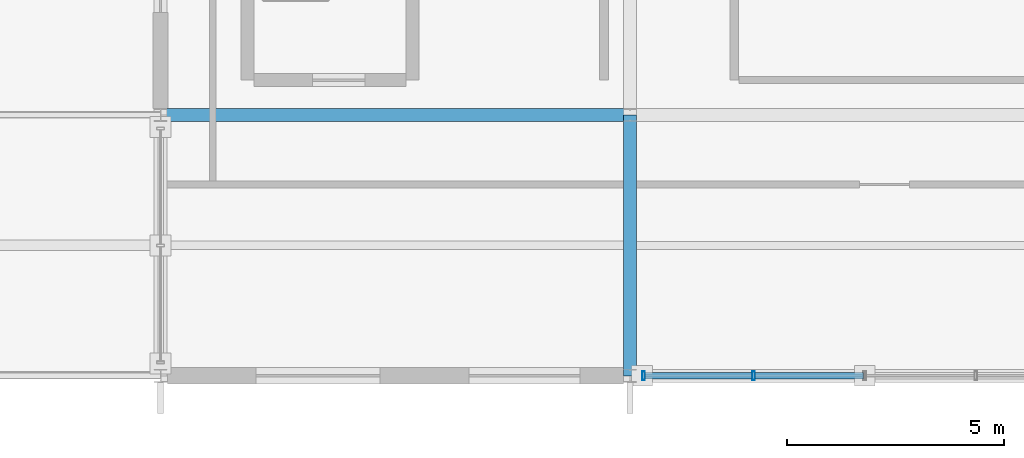
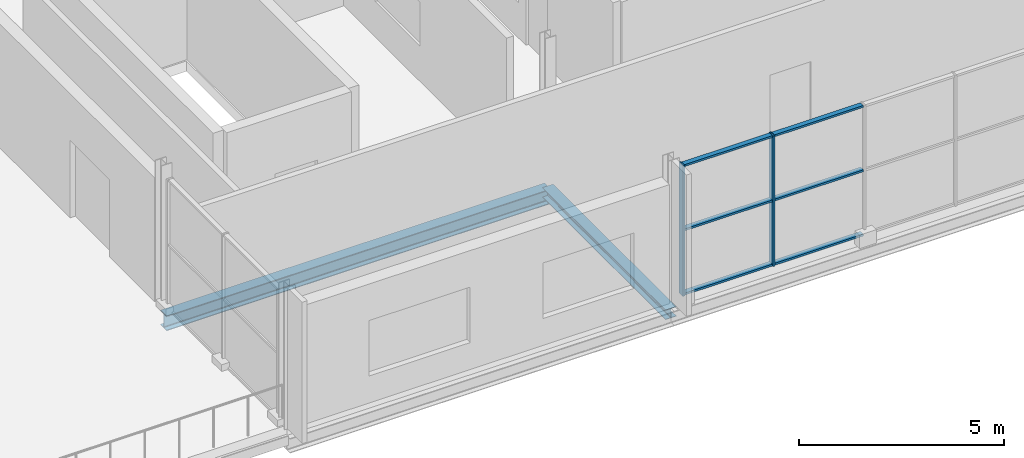
# One storey, part 5 of 13: 8 members, 2 beams, 1 element without a shape of its own.
"""IFC4 building model written with IfcOpenShell, lengths in metres."""

import ifcopenshell
import ifcopenshell.guid

model = None  # the IFC model being written
_history = None  # IfcOwnerHistory: only IFC2X3 demands one
_inside = {}  # id of a spatial element -> (the spatial element, [elements in it])
_under = {}  # id of a project, library or spatial element -> (it, [spatial elements below it])
_declared = {}  # id of a project -> (the project, [libraries it declares])
_typed = {}  # id of a type object -> (the type object, [elements of that type])
_made_of = {}  # id of a material, layer set ... -> (it, [elements and type objects made of it])


def new_model(schema):
    """Start an empty IFC model of exactly this schema.

    Asked for "IFC4X3", IfcOpenShell would pick the latest addendum, in which some entities
    have other attributes; the version numbers below select the first issue.
    IFC2X3 requires an IfcOwnerHistory on every rooted entity: one is made here for all.
    """
    global model, _history
    if schema == "IFC4X3":
        model = ifcopenshell.file(schema_version=(4, 3, 0, 0))
    else:
        model = ifcopenshell.file(schema=schema)
    _inside.clear()
    _under.clear()
    _declared.clear()
    _typed.clear()
    _made_of.clear()
    _history = None
    if model.schema == "IFC2X3":
        org = make("IfcOrganization", Name="unknown")
        user = make(
            "IfcPersonAndOrganization",
            ThePerson=make("IfcPerson", FamilyName="unknown"),
            TheOrganization=org,
        )
        app = make(
            "IfcApplication",
            ApplicationDeveloper=org,
            Version="unknown",
            ApplicationFullName="unknown",
            ApplicationIdentifier="unknown",
        )
        _history = make(
            "IfcOwnerHistory",
            OwningUser=user,
            OwningApplication=app,
            ChangeAction="ADDED",
            CreationDate=0,
        )
    return model


def make(cls, **values):
    """One entity of the class cls with the attributes given. An attribute that is None is left unset."""
    return model.create_entity(
        cls, **{name: value for name, value in values.items() if value is not None}
    )


def rooted(cls, **values):
    """An entity with a GlobalId (a new one), such as an element, a storey or a relation."""
    return make(cls, GlobalId=ifcopenshell.guid.new(), OwnerHistory=_history, **values)


def si_unit(unit_type, name, prefix=None):
    """IfcSIUnit, for example si_unit("LENGTHUNIT", "METRE", prefix="MILLI")."""
    return make("IfcSIUnit", UnitType=unit_type, Prefix=prefix, Name=name)


def assignment(units):
    """IfcUnitAssignment: the units of a project."""
    return None if units is None else make("IfcUnitAssignment", Units=units)


def point(xyz):
    """IfcCartesianPoint."""
    return None if xyz is None else make("IfcCartesianPoint", Coordinates=xyz)


def direction(xyz):
    """IfcDirection."""
    return None if xyz is None else make("IfcDirection", DirectionRatios=xyz)


def frame(location, z_axis=None, x_axis=None):
    """IfcAxis2Placement3D, a coordinate frame: its origin and axes. An axis left out is left unset."""
    return make(
        "IfcAxis2Placement3D",
        Location=point(location),
        Axis=direction(z_axis),
        RefDirection=direction(x_axis),
    )


def frame_2d(location, x_axis=None):
    """IfcAxis2Placement2D, a coordinate frame in the plane: its origin and x axis."""
    return make(
        "IfcAxis2Placement2D", Location=point(location), RefDirection=direction(x_axis)
    )


def origin():
    """The frame at (0, 0, 0) with its axes left unset."""
    return frame((0.0, 0.0, 0.0))


def origin_2d():
    """The frame at (0, 0) in the plane with its x axis left unset."""
    return frame_2d((0.0, 0.0))


def place(relative_to, where):
    """IfcLocalPlacement: puts the frame where relative to a parent placement (None: the world)."""
    return make(
        "IfcLocalPlacement", PlacementRelTo=relative_to, RelativePlacement=where
    )


def context(
    kind, dimensions, precision=None, world=None, true_north=None, identifier=None
):
    """IfcGeometricRepresentationContext, for example the 3D "Model" context."""
    return make(
        "IfcGeometricRepresentationContext",
        ContextIdentifier=identifier,
        ContextType=kind,
        CoordinateSpaceDimension=dimensions,
        Precision=precision,
        WorldCoordinateSystem=world,
        TrueNorth=true_north,
    )


def subcontext(parent, identifier, kind, view, scale=None):
    """IfcGeometricRepresentationSubContext, for example "Body" below "Model"."""
    return make(
        "IfcGeometricRepresentationSubContext",
        ContextIdentifier=identifier,
        ContextType=kind,
        ParentContext=parent,
        TargetScale=scale,
        TargetView=view,
    )


def project(units=None, contexts=None):
    """IfcProject with its units and contexts."""
    return rooted(
        "IfcProject",
        Name="project",
        RepresentationContexts=contexts,
        UnitsInContext=assignment(units),
    )


def spatial(cls, under=None, at=None, **own):
    """A site, building, storey or space (cls), placed at a placement, below another one or the project."""
    s = rooted(cls, ObjectPlacement=at, **own)
    if under is not None:
        _under.setdefault(under.id(), (under, []))[1].append(s)
    return s


def profile(cls, at=None, kind="AREA", **sizes):
    """A parametric profile (cls). Its sizes go by their IFC names, for example OverallWidth=200.0."""
    return make(cls, ProfileType=kind, Position=at, **sizes)


def hollow_rectangle(**sizes):
    """IfcRectangleHollowProfileDef."""
    return profile("IfcRectangleHollowProfileDef", **sizes)


def i_section(**sizes):
    """IfcIShapeProfileDef."""
    return profile("IfcIShapeProfileDef", **sizes)


def extrude(swept, where, along, depth):
    """IfcExtrudedAreaSolid: the profile swept, set in the frame where, extruded along a direction by depth."""
    return make(
        "IfcExtrudedAreaSolid",
        SweptArea=swept,
        Position=where,
        ExtrudedDirection=direction(along),
        Depth=depth,
    )


def shape(context_of_items, identifier, shape_type, items):
    """IfcShapeRepresentation: the items that make up one representation, for example the "Body"."""
    return make(
        "IfcShapeRepresentation",
        ContextOfItems=context_of_items,
        RepresentationIdentifier=identifier,
        RepresentationType=shape_type,
        Items=items,
    )


def material(Name=None, Category=None):
    """IfcMaterial."""
    return make("IfcMaterial", Name=Name, Category=Category)


def material_profile(
    of_material, cross_section, Name=None, Category=None, Priority=None
):
    """IfcMaterialProfile: a cross section and its material."""
    return make(
        "IfcMaterialProfile",
        Name=Name,
        Material=of_material,
        Profile=cross_section,
        Priority=Priority,
        Category=Category,
    )


def profile_set(profiles, Name=None, composite=None):
    """IfcMaterialProfileSet."""
    return make(
        "IfcMaterialProfileSet",
        Name=Name,
        MaterialProfiles=profiles,
        CompositeProfile=composite,
    )


def made_of(thing, what):
    """Note that an element or type object is made of a material, layer set ...; save() writes the relation."""
    if what is not None:
        _made_of.setdefault(what.id(), (what, []))[1].append(thing)
    return thing


def type_object(cls, material=None, **own):
    """A type object (cls), such as IfcWallType, which elements share."""
    return made_of(rooted(cls, **own), material)


def element(
    cls,
    number,
    at=None,
    inside=None,
    cuts=None,
    type_object=None,
    material=None,
    context=None,
    identifier="Body",
    shape_type=None,
    held_by="IfcProductDefinitionShape",
    body=None,
    shapes=None,
    **own,
):
    """One element of the class cls, such as IfcWall. Its Tag is "e" and its number.

    at: its placement. inside: the storey or other place that contains it. cuts: it is an
    opening in that element (IfcRelVoidsElement). A single representation is given by context,
    identifier, shape_type and body (its items); several are given by shapes. held_by: the class
    of the entity that holds the representations. save() writes the other relations.
    """
    e = rooted(cls, Tag="e%d" % number, ObjectPlacement=at, **own)
    if body is not None:
        shapes = [shape(context, identifier, shape_type, body)]
    if shapes is not None:
        e.Representation = make(held_by, Representations=shapes)
    if inside is not None:
        _inside.setdefault(inside.id(), (inside, []))[1].append(e)
    if cuts is not None:
        rooted(
            "IfcRelVoidsElement", RelatingBuildingElement=cuts, RelatedOpeningElement=e
        )
    if type_object is not None:
        _typed.setdefault(type_object.id(), (type_object, []))[1].append(e)
    return made_of(e, material)


def aggregate(whole, parts):
    """IfcRelAggregates: a whole, such as a stair, and the parts it consists of."""
    return rooted("IfcRelAggregates", RelatingObject=whole, RelatedObjects=parts)


def save(model, path):
    """Write the relations noted so far, then the file.

    IfcRelAggregates (storeys below a building ...), IfcRelContainedInSpatialStructure (elements
    in a storey), IfcRelDefinesByType, IfcRelAssociatesMaterial and IfcRelDeclares: one each for
    every whole, place, type object, material and project.
    """
    for whole, parts in _under.values():
        aggregate(whole, parts)
    for where, things in _inside.values():
        rooted(
            "IfcRelContainedInSpatialStructure",
            RelatedElements=things,
            RelatingStructure=where,
        )
    for kind, things in _typed.values():
        rooted("IfcRelDefinesByType", RelatedObjects=things, RelatingType=kind)
    for what, things in _made_of.values():
        rooted("IfcRelAssociatesMaterial", RelatedObjects=things, RelatingMaterial=what)
    for by, libraries in _declared.values():
        rooted("IfcRelDeclares", RelatingContext=by, RelatedDefinitions=libraries)
    model.write(path)


model = new_model("IFC4")

# Units and contexts
model_context = context("Model", 3, precision=1e-05, world=origin(), true_north=direction((0.0, 1.0)))
body_context = subcontext(model_context, "Body", "Model", "MODEL_VIEW")
ifc_project = project(units=[si_unit("LENGTHUNIT", "METRE"), si_unit("AREAUNIT", "SQUARE_METRE"), si_unit("VOLUMEUNIT", "CUBIC_METRE"), si_unit("PLANEANGLEUNIT", "RADIAN"), si_unit("MASSUNIT", "GRAM", prefix="KILO")], contexts=[model_context])

# Site, building, storey
site_placement = place(None, origin())
site = spatial("IfcSite", under=ifc_project, at=site_placement, CompositionType="ELEMENT")
building_placement = place(site_placement, origin())
building = spatial("IfcBuilding", under=site, at=building_placement, Name="Merenkruunu Market Hall", CompositionType="ELEMENT")
storey_placement = place(building_placement, frame((0.0, 0.0, 14.39990234375)))
storey = spatial("IfcBuildingStorey", under=building, at=storey_placement, Name="L03", CompositionType="ELEMENT", Elevation=14.39990234375)

# Curtain wall, members
ifc_material_1 = material(Name="Powder-coated aluminium", Category="aluminium")
curtain_wall_type = type_object("IfcCurtainWallType", Name="Glazed Curtain Wall CW07", PredefinedType="USERDEFINED", material=ifc_material_1)
curtain_wall_placement = place(storey_placement, origin())
curtain_wall = element("IfcCurtainWall", 1, at=curtain_wall_placement, inside=storey, type_object=curtain_wall_type, Name="CW-L03-CWM03-220", ObjectType="GLAZED_FACADE", PredefinedType="USERDEFINED")
ifc_material_profile_1 = material_profile(ifc_material_1, hollow_rectangle(XDim=0.06005859375, YDim=0.199951171875, WallThickness=0.0048828125, at=origin_2d()), Name="ALU 60x200x5")
ifc_profile_set_1 = profile_set([ifc_material_profile_1], Name="Powder-coated aluminium")
member_type_1 = type_object("IfcMemberType", Name="Curtain Wall Mullion CWM03", PredefinedType="MULLION", material=ifc_profile_set_1)
member_1_placement = place(storey_placement, frame((173.239990234375, 0.0, 0.0), z_axis=(0.0, 0.0, 1.0), x_axis=(-1.0, 0.0, 0.0)))
member_1 = element("IfcMember", 2, at=member_1_placement, type_object=member_type_1, Name="CW07 mullion 4", PredefinedType="MULLION", context=body_context, shape_type="SweptSolid", body=[
    extrude(hollow_rectangle(XDim=0.06005859375, YDim=0.199951171875, WallThickness=0.0048828125, at=origin_2d()), origin(), (0.0, 0.0, 1.0), 3.880126953125),
])
member_2_placement = place(storey_placement, frame((170.7099609375, 0.0, 0.0), z_axis=(0.0, 0.0, 1.0), x_axis=(-1.0, 0.0, 0.0)))
member_2 = element("IfcMember", 3, at=member_2_placement, type_object=member_type_1, Name="CW07 mullion 5", PredefinedType="MULLION", context=body_context, shape_type="SweptSolid", body=[
    extrude(hollow_rectangle(XDim=0.06005859375, YDim=0.199951171875, WallThickness=0.0048828125, at=origin_2d()), origin(), (0.0, 0.0, 1.0), 3.880126953125),
])
ifc_material_profile_2 = material_profile(ifc_material_1, hollow_rectangle(XDim=0.06005859375, YDim=0.139892578125, WallThickness=0.00390625, at=origin_2d()), Name="ALU 60x140x4")
ifc_profile_set_2 = profile_set([ifc_material_profile_2], Name="Powder-coated aluminium")
member_type_2 = type_object("IfcMemberType", Name="Curtain Wall Transom CWT02", PredefinedType="USERDEFINED", material=ifc_profile_set_2)
member_3_placement = place(storey_placement, frame((175.77001953125, 0.0, 0.030029296875), z_axis=(-1.0, 0.0, 0.0), x_axis=(0.0, 0.0, 1.0)))
member_3 = element("IfcMember", 4, at=member_3_placement, type_object=member_type_2, Name="CW07 transom 3.1", ObjectType="TRANSOM", PredefinedType="USERDEFINED", context=body_context, shape_type="SweptSolid", body=[
    extrude(hollow_rectangle(XDim=0.06005859375, YDim=0.139892578125, WallThickness=0.00390625, at=origin_2d()), origin(), (0.0, 0.0, 1.0), 2.5),
])
member_4_placement = place(storey_placement, frame((175.77001953125, 0.0, 1.940185546875), z_axis=(-1.0, 0.0, 0.0), x_axis=(0.0, 0.0, 1.0)))
member_4 = element("IfcMember", 5, at=member_4_placement, type_object=member_type_2, Name="CW07 transom 3.2", ObjectType="TRANSOM", PredefinedType="USERDEFINED", context=body_context, shape_type="SweptSolid", body=[
    extrude(hollow_rectangle(XDim=0.06005859375, YDim=0.139892578125, WallThickness=0.00390625, at=origin_2d()), origin(), (0.0, 0.0, 1.0), 2.5),
])
member_5_placement = place(storey_placement, frame((175.77001953125, 0.0, 3.85009765625), z_axis=(-1.0, 0.0, 0.0), x_axis=(0.0, 0.0, 1.0)))
member_5 = element("IfcMember", 6, at=member_5_placement, type_object=member_type_2, Name="CW07 transom 3.3", ObjectType="TRANSOM", PredefinedType="USERDEFINED", context=body_context, shape_type="SweptSolid", body=[
    extrude(hollow_rectangle(XDim=0.06005859375, YDim=0.139892578125, WallThickness=0.00390625, at=origin_2d()), origin(), (0.0, 0.0, 1.0), 2.5),
])
member_6_placement = place(storey_placement, frame((173.2099609375, 0.0, 0.030029296875), z_axis=(-1.0, 0.0, 0.0), x_axis=(0.0, 0.0, 1.0)))
member_6 = element("IfcMember", 7, at=member_6_placement, type_object=member_type_2, Name="CW07 transom 4.1", ObjectType="TRANSOM", PredefinedType="USERDEFINED", context=body_context, shape_type="SweptSolid", body=[
    extrude(hollow_rectangle(XDim=0.06005859375, YDim=0.139892578125, WallThickness=0.00390625, at=origin_2d()), origin(), (0.0, 0.0, 1.0), 2.469970703125),
])
member_7_placement = place(storey_placement, frame((173.2099609375, 0.0, 1.940185546875), z_axis=(-1.0, 0.0, 0.0), x_axis=(0.0, 0.0, 1.0)))
member_7 = element("IfcMember", 8, at=member_7_placement, type_object=member_type_2, Name="CW07 transom 4.2", ObjectType="TRANSOM", PredefinedType="USERDEFINED", context=body_context, shape_type="SweptSolid", body=[
    extrude(hollow_rectangle(XDim=0.06005859375, YDim=0.139892578125, WallThickness=0.00390625, at=origin_2d()), origin(), (0.0, 0.0, 1.0), 2.469970703125),
])
member_8_placement = place(storey_placement, frame((173.2099609375, 0.0, 3.85009765625), z_axis=(-1.0, 0.0, 0.0), x_axis=(0.0, 0.0, 1.0)))
member_8 = element("IfcMember", 9, at=member_8_placement, type_object=member_type_2, Name="CW07 transom 4.3", ObjectType="TRANSOM", PredefinedType="USERDEFINED", context=body_context, shape_type="SweptSolid", body=[
    extrude(hollow_rectangle(XDim=0.06005859375, YDim=0.139892578125, WallThickness=0.00390625, at=origin_2d()), origin(), (0.0, 0.0, 1.0), 2.469970703125),
])
aggregate(curtain_wall, [member_1, member_2, member_3, member_4, member_5, member_6, member_7, member_8])

# Beams
ifc_material_2 = material(Name="Steel S355J2", Category="steel")
ifc_material_profile_3 = material_profile(ifc_material_2, i_section(OverallWidth=0.300048828125, OverallDepth=0.43994140625, WebThickness=0.011474609375, FlangeThickness=0.02099609375, FilletRadius=0.027099609375, at=origin_2d()), Name="HEA 450")
ifc_profile_set_3 = profile_set([ifc_material_profile_3], Name="Steel S355J2")
beam_type_1 = type_object("IfcBeamType", Name="Primary Floor Girder B07", PredefinedType="BEAM", material=ifc_profile_set_3)
beam_1_placement = place(storey_placement, frame((159.60009765625, 6.0, -0.52978515625), z_axis=(1.0, 0.0, 0.0), x_axis=(0.0, 1.0, 0.0)))
element("IfcBeam", 10, at=beam_1_placement, inside=storey, type_object=beam_type_1, Name="BM-L03-B07-0860", PredefinedType="BEAM", context=body_context, shape_type="SweptSolid", body=[
    extrude(i_section(OverallWidth=0.300048828125, OverallDepth=0.43994140625, WebThickness=0.011474609375, FlangeThickness=0.02099609375, FilletRadius=0.027099609375, at=origin_2d()), origin(), (0.0, 0.0, 1.0), 10.7998046875),
])
ifc_material_profile_4 = material_profile(ifc_material_2, i_section(OverallWidth=0.300048828125, OverallDepth=0.2900390625, WebThickness=0.008544921875, FlangeThickness=0.013916015625, FilletRadius=0.027099609375, at=origin_2d()), Name="HEA 300")
ifc_profile_set_4 = profile_set([ifc_material_profile_4], Name="Steel S355J2")
beam_type_2 = type_object("IfcBeamType", Name="Primary Floor Girder B09", PredefinedType="BEAM", material=ifc_profile_set_4)
beam_2_placement = place(storey_placement, frame((170.39990234375, 0.0, -0.454833984375), z_axis=(0.0, 1.0, 0.0), x_axis=(-1.0, 0.0, 0.0)))
element("IfcBeam", 11, at=beam_2_placement, inside=storey, type_object=beam_type_2, Name="BM-L03-B09-0883", PredefinedType="BEAM", context=body_context, shape_type="SweptSolid", body=[
    extrude(i_section(OverallWidth=0.300048828125, OverallDepth=0.2900390625, WebThickness=0.008544921875, FlangeThickness=0.013916015625, FilletRadius=0.027099609375, at=origin_2d()), origin(), (0.0, 0.0, 1.0), 6.0),
])

save(model, "model.ifc")
